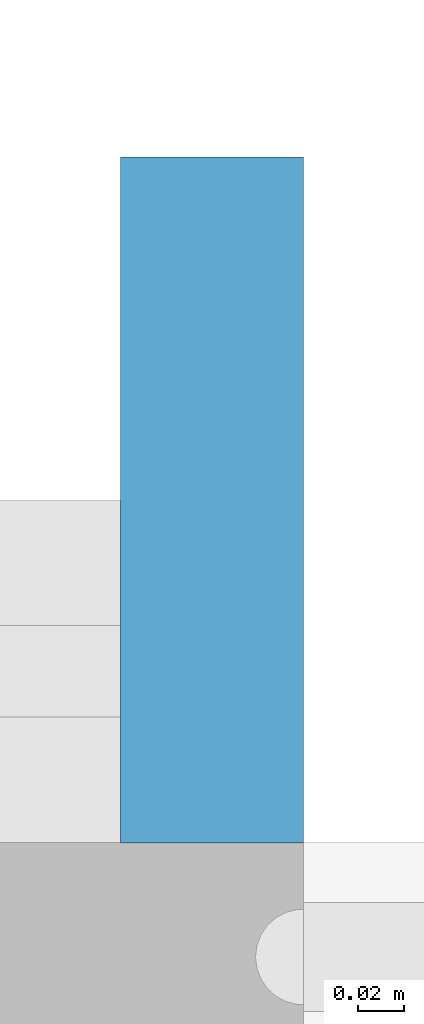
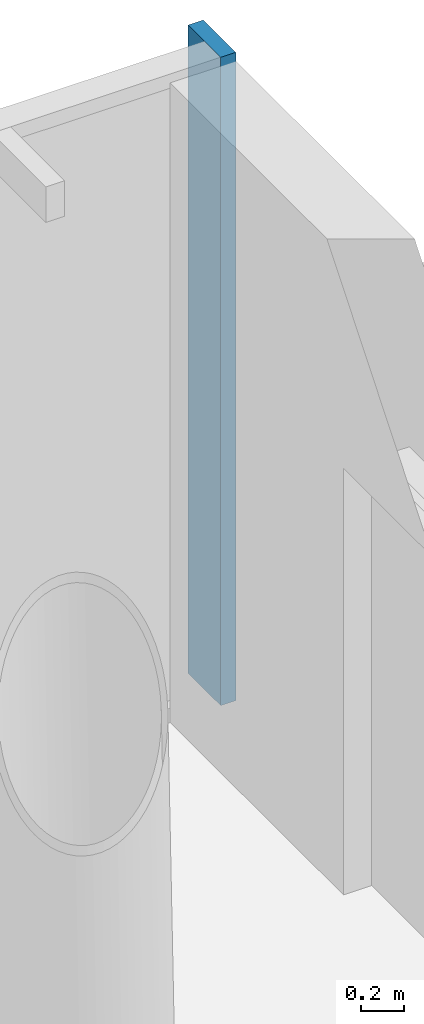
# One storey, part 7 of 21: 1 member, 1 element without a shape of its own.
"""IFC4 building model written with IfcOpenShell, lengths in metres."""

from ifc_helpers import new_model, si_unit, direction, frame, origin, origin_2d, place, context, subcontext, project, spatial, rectangle, extrude, material, material_profile, profile_set, type_object, element, aggregate, save


model = new_model("IFC4")

# Units and contexts
model_context = context("Model", 3, precision=1e-05, world=origin(), true_north=direction((0.0, 1.0)))
body_context = subcontext(model_context, "Body", "Model", "MODEL_VIEW")
ifc_project = project(units=[si_unit("LENGTHUNIT", "METRE"), si_unit("AREAUNIT", "SQUARE_METRE"), si_unit("VOLUMEUNIT", "CUBIC_METRE"), si_unit("PLANEANGLEUNIT", "RADIAN"), si_unit("MASSUNIT", "GRAM", prefix="KILO")], contexts=[model_context])

# Site, building, storey
site_placement = place(None, origin())
site = spatial("IfcSite", under=ifc_project, at=site_placement, CompositionType="ELEMENT")
building_placement = place(site_placement, origin())
building = spatial("IfcBuilding", under=site, at=building_placement, Name="Ostroluk Exchange", CompositionType="ELEMENT")
storey_placement = place(building_placement, frame((0.0, 0.0, 59.0)))
storey = spatial("IfcBuildingStorey", under=building, at=storey_placement, Name="L14", CompositionType="ELEMENT", Elevation=59.0)

# Curtain wall, member
ifc_material_1 = material(Name="Laminated clear glass", Category="glass")
curtain_wall_type = type_object("IfcCurtainWallType", Name="Hotel guest floor facade", PredefinedType="USERDEFINED", material=ifc_material_1)
curtain_wall_placement = place(storey_placement, origin())
curtain_wall = element("IfcCurtainWall", 1, at=curtain_wall_placement, inside=storey, type_object=curtain_wall_type, Name="Hotel tower north facade L14", ObjectType="UNITISED CURTAIN WALL", PredefinedType="USERDEFINED")
ifc_material_2 = material(Name="Aluminium mullion with limestone facing", Category="masonry")
ifc_material_profile = material_profile(ifc_material_2, rectangle(XDim=0.300048828125, YDim=0.080078125, at=origin_2d()), Name="Tracery mullion 80 x 300")
ifc_profile_set = profile_set([ifc_material_profile], Name="Aluminium mullion with limestone facing")
member_type = type_object("IfcMemberType", Name="Tracery mullion 80 x 300", PredefinedType="MULLION", material=ifc_profile_set)
member_placement = place(storey_placement, frame((133.2099609375, 65.39990234375, 0.0), z_axis=(0.0, 0.0, 1.0), x_axis=(0.0, -1.0, 0.0)))
member = element("IfcMember", 2, at=member_placement, type_object=member_type, Name="CW-H1 mullion 1", PredefinedType="MULLION", context=body_context, shape_type="SweptSolid", body=[
    extrude(rectangle(XDim=0.300048828125, YDim=0.080078125, at=origin_2d()), origin(), (0.0, 0.0, 1.0), 3.64990234375),
])
aggregate(curtain_wall, [member])

save(model, "model.ifc")
